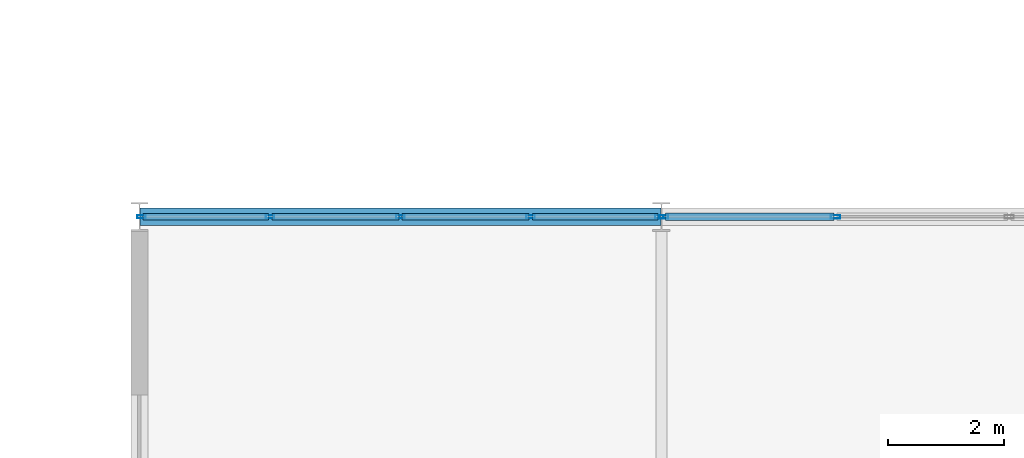
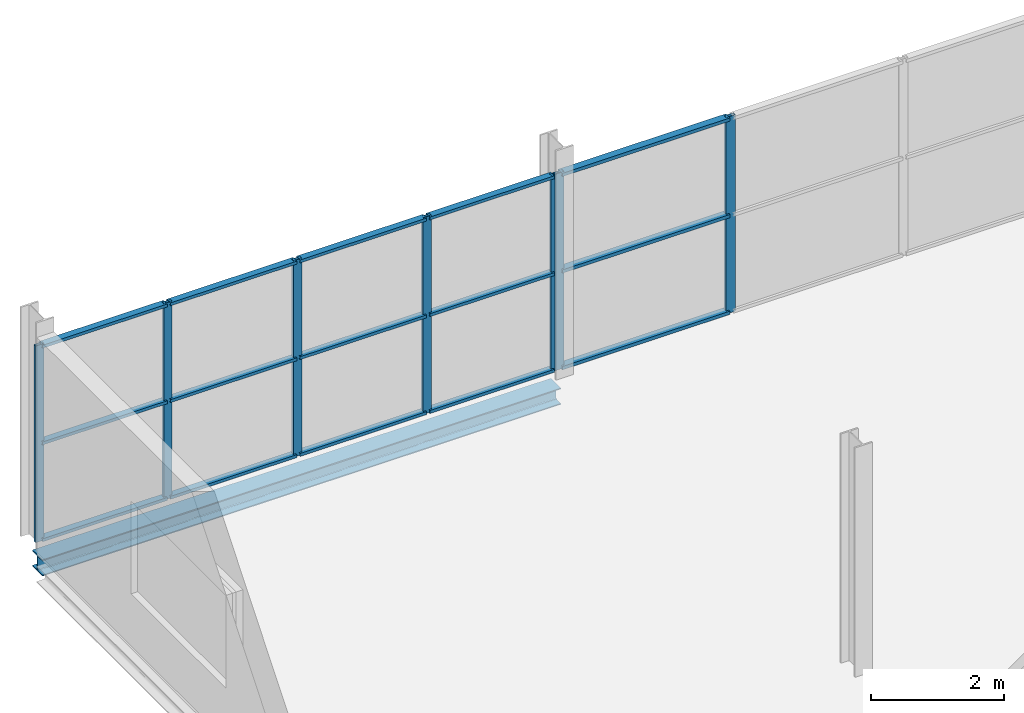
# One storey, part 65 of 132: 22 members, 1 beam, 2 elements without a shape of their own.
"""IFC4 building model written with IfcOpenShell, lengths in metres."""

from ifc_helpers import new_model, si_unit, direction, frame, origin, origin_2d, place, context, subcontext, project, spatial, hollow_rectangle, i_section, extrude, material, layer, layer_set, material_profile, profile_set, type_object, element, aggregate, save


model = new_model("IFC4")

# Units and contexts
model_context = context("Model", 3, precision=1e-05, world=origin(), true_north=direction((0.0, 1.0)))
body_context = subcontext(model_context, "Body", "Model", "MODEL_VIEW")
ifc_project = project(units=[si_unit("LENGTHUNIT", "METRE"), si_unit("AREAUNIT", "SQUARE_METRE"), si_unit("VOLUMEUNIT", "CUBIC_METRE"), si_unit("PLANEANGLEUNIT", "RADIAN"), si_unit("MASSUNIT", "GRAM", prefix="KILO")], contexts=[model_context])

# Site, building, storey
site_placement = place(None, origin())
site = spatial("IfcSite", under=ifc_project, at=site_placement, CompositionType="ELEMENT")
building_placement = place(site_placement, origin())
building = spatial("IfcBuilding", under=site, at=building_placement, Name="Deido Ridge Mobility Hub", CompositionType="ELEMENT")
storey_placement = place(building_placement, frame((0.0, 0.0, 8.39990234375)))
storey = spatial("IfcBuildingStorey", under=building, at=storey_placement, Name="L02", CompositionType="ELEMENT", Elevation=8.39990234375)

# Curtain wall, members
ifc_material_1 = material(Name="Anodised aluminium EN AW-6063 T6", Category="aluminium")
ifc_layer_1 = layer(ifc_material_1, 0.132080078125, Name="Anodised aluminium EN AW-6063 T6")
ifc_layer_set_1 = layer_set([ifc_layer_1], Name="Anodised aluminium EN AW-6063 T6")
curtain_wall_type_1 = type_object("IfcCurtainWallType", Name="CW-GS-1", PredefinedType="USERDEFINED", material=ifc_layer_set_1)
curtain_wall_1_placement = place(storey_placement, origin())
curtain_wall_1 = element("IfcCurtainWall", 1, at=curtain_wall_1_placement, inside=storey, type_object=curtain_wall_type_1, Name="Unitised curtain wall GS1", ObjectType="GLAZED SCREEN", PredefinedType="USERDEFINED")
ifc_material_profile_1 = material_profile(ifc_material_1, hollow_rectangle(XDim=0.054931640625, YDim=0.14501953125, WallThickness=0.00390625, at=origin_2d()), Name="RHS 55x145x4")
ifc_profile_set_1 = profile_set([ifc_material_profile_1], Name="Anodised aluminium EN AW-6063 T6")
member_type_1 = type_object("IfcMemberType", Name="MEM-MUL-55X145", PredefinedType="MULLION", material=ifc_profile_set_1)
member_1_placement = place(storey_placement, frame((0.034912109375, 81.0, 0.0), z_axis=(0.0, 0.0, 1.0), x_axis=(0.0, 1.0, 0.0)))
member_1 = element("IfcMember", 2, at=member_1_placement, type_object=member_type_1, Name="GS1 mullion 1", PredefinedType="MULLION", context=body_context, shape_type="SweptSolid", body=[
    extrude(hollow_rectangle(XDim=0.054931640625, YDim=0.14501953125, WallThickness=0.00390625, at=origin_2d()), origin(), (0.0, 0.0, 1.0), 3.60009765625),
])
member_2_placement = place(storey_placement, frame((2.253662109375, 81.0, 0.0), z_axis=(0.0, 0.0, 1.0), x_axis=(0.0, 1.0, 0.0)))
member_2 = element("IfcMember", 3, at=member_2_placement, type_object=member_type_1, Name="GS1 mullion 2", PredefinedType="MULLION", context=body_context, shape_type="SweptSolid", body=[
    extrude(hollow_rectangle(XDim=0.054931640625, YDim=0.14501953125, WallThickness=0.00390625, at=origin_2d()), origin(), (0.0, 0.0, 1.0), 3.60009765625),
])
member_3_placement = place(storey_placement, frame((4.5, 81.0, 0.0), z_axis=(0.0, 0.0, 1.0), x_axis=(0.0, 1.0, 0.0)))
member_3 = element("IfcMember", 4, at=member_3_placement, type_object=member_type_1, Name="GS1 mullion 3", PredefinedType="MULLION", context=body_context, shape_type="SweptSolid", body=[
    extrude(hollow_rectangle(XDim=0.054931640625, YDim=0.14501953125, WallThickness=0.00390625, at=origin_2d()), origin(), (0.0, 0.0, 1.0), 3.60009765625),
])
member_4_placement = place(storey_placement, frame((6.746337890625, 81.0, 0.0), z_axis=(0.0, 0.0, 1.0), x_axis=(0.0, 1.0, 0.0)))
member_4 = element("IfcMember", 5, at=member_4_placement, type_object=member_type_1, Name="GS1 mullion 4", PredefinedType="MULLION", context=body_context, shape_type="SweptSolid", body=[
    extrude(hollow_rectangle(XDim=0.054931640625, YDim=0.14501953125, WallThickness=0.00390625, at=origin_2d()), origin(), (0.0, 0.0, 1.0), 3.60009765625),
])
member_5_placement = place(storey_placement, frame((8.965087890625, 81.0, 0.0), z_axis=(0.0, 0.0, 1.0), x_axis=(0.0, 1.0, 0.0)))
member_5 = element("IfcMember", 6, at=member_5_placement, type_object=member_type_1, Name="GS1 mullion 5", PredefinedType="MULLION", context=body_context, shape_type="SweptSolid", body=[
    extrude(hollow_rectangle(XDim=0.054931640625, YDim=0.14501953125, WallThickness=0.00390625, at=origin_2d()), origin(), (0.0, 0.0, 1.0), 3.60009765625),
])

ifc_layer_2 = layer(ifc_material_1, 0.14404296875, Name="Anodised aluminium EN AW-6063 T6")
ifc_layer_set_2 = layer_set([ifc_layer_2], Name="Anodised aluminium EN AW-6063 T6")
curtain_wall_type_2 = type_object("IfcCurtainWallType", Name="CW-GS-2", PredefinedType="USERDEFINED", material=ifc_layer_set_2)
curtain_wall_2_placement = place(storey_placement, origin())
curtain_wall_2 = element("IfcCurtainWall", 7, at=curtain_wall_2_placement, inside=storey, type_object=curtain_wall_type_2, Name="Unitised curtain wall GS2", ObjectType="GLAZED SCREEN", PredefinedType="USERDEFINED")
ifc_material_profile_2 = material_profile(ifc_material_1, hollow_rectangle(XDim=0.06005859375, YDim=0.159912109375, WallThickness=0.00390625, at=origin_2d()), Name="RHS 60x160x4")
ifc_profile_set_2 = profile_set([ifc_material_profile_2], Name="Anodised aluminium EN AW-6063 T6")
member_type_2 = type_object("IfcMemberType", Name="MEM-MUL-60X160", PredefinedType="MULLION", material=ifc_profile_set_2)
member_6_placement = place(storey_placement, frame((9.037353515625, 81.0, 0.0), z_axis=(0.0, 0.0, 1.0), x_axis=(0.0, 1.0, 0.0)))
member_6 = element("IfcMember", 8, at=member_6_placement, type_object=member_type_2, Name="GS2 mullion 1", PredefinedType="MULLION", context=body_context, shape_type="SweptSolid", body=[
    extrude(hollow_rectangle(XDim=0.06005859375, YDim=0.159912109375, WallThickness=0.00390625, at=origin_2d()), origin(), (0.0, 0.0, 1.0), 3.60009765625),
])
member_7_placement = place(storey_placement, frame((12.00244140625, 81.0, 0.0), z_axis=(0.0, 0.0, 1.0), x_axis=(0.0, 1.0, 0.0)))
member_7 = element("IfcMember", 9, at=member_7_placement, type_object=member_type_2, Name="GS2 mullion 2", PredefinedType="MULLION", context=body_context, shape_type="SweptSolid", body=[
    extrude(hollow_rectangle(XDim=0.06005859375, YDim=0.159912109375, WallThickness=0.00390625, at=origin_2d()), origin(), (0.0, 0.0, 1.0), 3.60009765625),
])

# Member
ifc_material_profile_3 = material_profile(ifc_material_1, hollow_rectangle(XDim=0.114990234375, YDim=0.054931640625, WallThickness=0.00390625, at=origin_2d()), Name="RHS 115x55x4")
ifc_profile_set_3 = profile_set([ifc_material_profile_3], Name="Anodised aluminium EN AW-6063 T6")
member_type_3 = type_object("IfcMemberType", Name="MEM-TRN-115X55", PredefinedType="USERDEFINED", material=ifc_profile_set_3)
member_8_placement = place(storey_placement, frame((0.062255859375, 81.0, 0.027587890625), z_axis=(1.0, 0.0, 0.0), x_axis=(0.0, 1.0, 0.0)))
member_8 = element("IfcMember", 10, at=member_8_placement, type_object=member_type_3, Name="GS1 transom 1.1", ObjectType="TRANSOM", PredefinedType="USERDEFINED", context=body_context, shape_type="SweptSolid", body=[
    extrude(hollow_rectangle(XDim=0.114990234375, YDim=0.054931640625, WallThickness=0.00390625, at=origin_2d()), origin(), (0.0, 0.0, 1.0), 2.163818359375),
])

member_9_placement = place(storey_placement, frame((0.062255859375, 81.0, 1.800048828125), z_axis=(1.0, 0.0, 0.0), x_axis=(0.0, 1.0, 0.0)))
member_9 = element("IfcMember", 11, at=member_9_placement, type_object=member_type_3, Name="GS1 transom 1.2", ObjectType="TRANSOM", PredefinedType="USERDEFINED", context=body_context, shape_type="SweptSolid", body=[
    extrude(hollow_rectangle(XDim=0.114990234375, YDim=0.054931640625, WallThickness=0.00390625, at=origin_2d()), origin(), (0.0, 0.0, 1.0), 2.163818359375),
])

member_10_placement = place(storey_placement, frame((0.062255859375, 81.0, 3.572509765625), z_axis=(1.0, 0.0, 0.0), x_axis=(0.0, 1.0, 0.0)))
member_10 = element("IfcMember", 12, at=member_10_placement, type_object=member_type_3, Name="GS1 transom 1.3", ObjectType="TRANSOM", PredefinedType="USERDEFINED", context=body_context, shape_type="SweptSolid", body=[
    extrude(hollow_rectangle(XDim=0.114990234375, YDim=0.054931640625, WallThickness=0.00390625, at=origin_2d()), origin(), (0.0, 0.0, 1.0), 2.163818359375),
])

member_11_placement = place(storey_placement, frame((2.28125, 81.0, 0.027587890625), z_axis=(1.0, 0.0, 0.0), x_axis=(0.0, 1.0, 0.0)))
member_11 = element("IfcMember", 13, at=member_11_placement, type_object=member_type_3, Name="GS1 transom 2.1", ObjectType="TRANSOM", PredefinedType="USERDEFINED", context=body_context, shape_type="SweptSolid", body=[
    extrude(hollow_rectangle(XDim=0.114990234375, YDim=0.054931640625, WallThickness=0.00390625, at=origin_2d()), origin(), (0.0, 0.0, 1.0), 2.191162109375),
])

member_12_placement = place(storey_placement, frame((2.28125, 81.0, 1.800048828125), z_axis=(1.0, 0.0, 0.0), x_axis=(0.0, 1.0, 0.0)))
member_12 = element("IfcMember", 14, at=member_12_placement, type_object=member_type_3, Name="GS1 transom 2.2", ObjectType="TRANSOM", PredefinedType="USERDEFINED", context=body_context, shape_type="SweptSolid", body=[
    extrude(hollow_rectangle(XDim=0.114990234375, YDim=0.054931640625, WallThickness=0.00390625, at=origin_2d()), origin(), (0.0, 0.0, 1.0), 2.191162109375),
])

member_13_placement = place(storey_placement, frame((2.28125, 81.0, 3.572509765625), z_axis=(1.0, 0.0, 0.0), x_axis=(0.0, 1.0, 0.0)))
member_13 = element("IfcMember", 15, at=member_13_placement, type_object=member_type_3, Name="GS1 transom 2.3", ObjectType="TRANSOM", PredefinedType="USERDEFINED", context=body_context, shape_type="SweptSolid", body=[
    extrude(hollow_rectangle(XDim=0.114990234375, YDim=0.054931640625, WallThickness=0.00390625, at=origin_2d()), origin(), (0.0, 0.0, 1.0), 2.191162109375),
])

member_14_placement = place(storey_placement, frame((4.527587890625, 81.0, 0.027587890625), z_axis=(1.0, 0.0, 0.0), x_axis=(0.0, 1.0, 0.0)))
member_14 = element("IfcMember", 16, at=member_14_placement, type_object=member_type_3, Name="GS1 transom 3.1", ObjectType="TRANSOM", PredefinedType="USERDEFINED", context=body_context, shape_type="SweptSolid", body=[
    extrude(hollow_rectangle(XDim=0.114990234375, YDim=0.054931640625, WallThickness=0.00390625, at=origin_2d()), origin(), (0.0, 0.0, 1.0), 2.191162109375),
])

member_15_placement = place(storey_placement, frame((4.527587890625, 81.0, 1.800048828125), z_axis=(1.0, 0.0, 0.0), x_axis=(0.0, 1.0, 0.0)))
member_15 = element("IfcMember", 17, at=member_15_placement, type_object=member_type_3, Name="GS1 transom 3.2", ObjectType="TRANSOM", PredefinedType="USERDEFINED", context=body_context, shape_type="SweptSolid", body=[
    extrude(hollow_rectangle(XDim=0.114990234375, YDim=0.054931640625, WallThickness=0.00390625, at=origin_2d()), origin(), (0.0, 0.0, 1.0), 2.191162109375),
])

member_16_placement = place(storey_placement, frame((4.527587890625, 81.0, 3.572509765625), z_axis=(1.0, 0.0, 0.0), x_axis=(0.0, 1.0, 0.0)))
member_16 = element("IfcMember", 18, at=member_16_placement, type_object=member_type_3, Name="GS1 transom 3.3", ObjectType="TRANSOM", PredefinedType="USERDEFINED", context=body_context, shape_type="SweptSolid", body=[
    extrude(hollow_rectangle(XDim=0.114990234375, YDim=0.054931640625, WallThickness=0.00390625, at=origin_2d()), origin(), (0.0, 0.0, 1.0), 2.191162109375),
])

member_17_placement = place(storey_placement, frame((6.77392578125, 81.0, 0.027587890625), z_axis=(1.0, 0.0, 0.0), x_axis=(0.0, 1.0, 0.0)))
member_17 = element("IfcMember", 19, at=member_17_placement, type_object=member_type_3, Name="GS1 transom 4.1", ObjectType="TRANSOM", PredefinedType="USERDEFINED", context=body_context, shape_type="SweptSolid", body=[
    extrude(hollow_rectangle(XDim=0.114990234375, YDim=0.054931640625, WallThickness=0.00390625, at=origin_2d()), origin(), (0.0, 0.0, 1.0), 2.163818359375),
])

member_18_placement = place(storey_placement, frame((6.77392578125, 81.0, 1.800048828125), z_axis=(1.0, 0.0, 0.0), x_axis=(0.0, 1.0, 0.0)))
member_18 = element("IfcMember", 20, at=member_18_placement, type_object=member_type_3, Name="GS1 transom 4.2", ObjectType="TRANSOM", PredefinedType="USERDEFINED", context=body_context, shape_type="SweptSolid", body=[
    extrude(hollow_rectangle(XDim=0.114990234375, YDim=0.054931640625, WallThickness=0.00390625, at=origin_2d()), origin(), (0.0, 0.0, 1.0), 2.163818359375),
])

member_19_placement = place(storey_placement, frame((6.77392578125, 81.0, 3.572509765625), z_axis=(1.0, 0.0, 0.0), x_axis=(0.0, 1.0, 0.0)))
member_19 = element("IfcMember", 21, at=member_19_placement, type_object=member_type_3, Name="GS1 transom 4.3", ObjectType="TRANSOM", PredefinedType="USERDEFINED", context=body_context, shape_type="SweptSolid", body=[
    extrude(hollow_rectangle(XDim=0.114990234375, YDim=0.054931640625, WallThickness=0.00390625, at=origin_2d()), origin(), (0.0, 0.0, 1.0), 2.163818359375),
])

aggregate(curtain_wall_1, [member_1, member_2, member_3, member_4, member_5, member_8, member_9, member_10, member_11, member_12, member_13, member_14, member_15, member_16, member_17, member_18, member_19])

ifc_material_profile_4 = material_profile(ifc_material_1, hollow_rectangle(XDim=0.125, YDim=0.06005859375, WallThickness=0.00390625, at=origin_2d()), Name="RHS 125x60x4")
ifc_profile_set_4 = profile_set([ifc_material_profile_4], Name="Anodised aluminium EN AW-6063 T6")
member_type_4 = type_object("IfcMemberType", Name="MEM-TRN-125X60", PredefinedType="USERDEFINED", material=ifc_profile_set_4)
member_20_placement = place(storey_placement, frame((9.0673828125, 81.0, 0.030029296875), z_axis=(1.0, 0.0, 0.0), x_axis=(0.0, 1.0, 0.0)))
member_20 = element("IfcMember", 22, at=member_20_placement, type_object=member_type_4, Name="GS2 transom 1.1", ObjectType="TRANSOM", PredefinedType="USERDEFINED", context=body_context, shape_type="SweptSolid", body=[
    extrude(hollow_rectangle(XDim=0.125, YDim=0.06005859375, WallThickness=0.00390625, at=origin_2d()), origin(), (0.0, 0.0, 1.0), 2.905029296875),
])

member_21_placement = place(storey_placement, frame((9.0673828125, 81.0, 1.800048828125), z_axis=(1.0, 0.0, 0.0), x_axis=(0.0, 1.0, 0.0)))
member_21 = element("IfcMember", 23, at=member_21_placement, type_object=member_type_4, Name="GS2 transom 1.2", ObjectType="TRANSOM", PredefinedType="USERDEFINED", context=body_context, shape_type="SweptSolid", body=[
    extrude(hollow_rectangle(XDim=0.125, YDim=0.06005859375, WallThickness=0.00390625, at=origin_2d()), origin(), (0.0, 0.0, 1.0), 2.905029296875),
])

member_22_placement = place(storey_placement, frame((9.0673828125, 81.0, 3.570068359375), z_axis=(1.0, 0.0, 0.0), x_axis=(0.0, 1.0, 0.0)))
member_22 = element("IfcMember", 24, at=member_22_placement, type_object=member_type_4, Name="GS2 transom 1.3", ObjectType="TRANSOM", PredefinedType="USERDEFINED", context=body_context, shape_type="SweptSolid", body=[
    extrude(hollow_rectangle(XDim=0.125, YDim=0.06005859375, WallThickness=0.00390625, at=origin_2d()), origin(), (0.0, 0.0, 1.0), 2.905029296875),
])

aggregate(curtain_wall_2, [member_6, member_7, member_20, member_21, member_22])

# Beam
ifc_material_2 = material(Name="Steel S355J2 EN 10025-2", Category="steel")
ifc_material_profile_5 = material_profile(ifc_material_2, i_section(OverallWidth=0.300048828125, OverallDepth=0.300048828125, WebThickness=0.010986328125, FlangeThickness=0.01904296875, FilletRadius=0.027099609375, at=origin_2d()), Name="HEB 300")
ifc_profile_set_5 = profile_set([ifc_material_profile_5], Name="Steel S355J2 EN 10025-2")
beam_type = type_object("IfcBeamType", Name="SPD-HEB300", PredefinedType="SPANDREL", material=ifc_profile_set_5)
beam_placement = place(storey_placement, frame((0.00732421875, 81.0, -0.40478515625), z_axis=(1.0, 0.0, 0.0), x_axis=(0.0, 1.0, 0.0)))
element("IfcBeam", 25, at=beam_placement, inside=storey, type_object=beam_type, Name="Floor beam SP1", PredefinedType="SPANDREL", context=body_context, shape_type="SweptSolid", body=[
    extrude(i_section(OverallWidth=0.300048828125, OverallDepth=0.300048828125, WebThickness=0.010986328125, FlangeThickness=0.01904296875, FilletRadius=0.027099609375, at=origin_2d()), origin(), (0.0, 0.0, 1.0), 8.9853515625),
])

save(model, "model.ifc")
